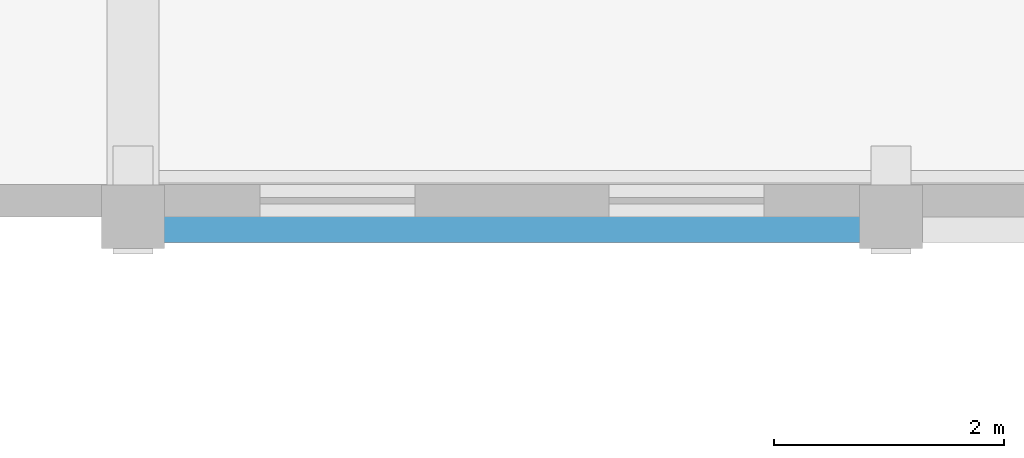
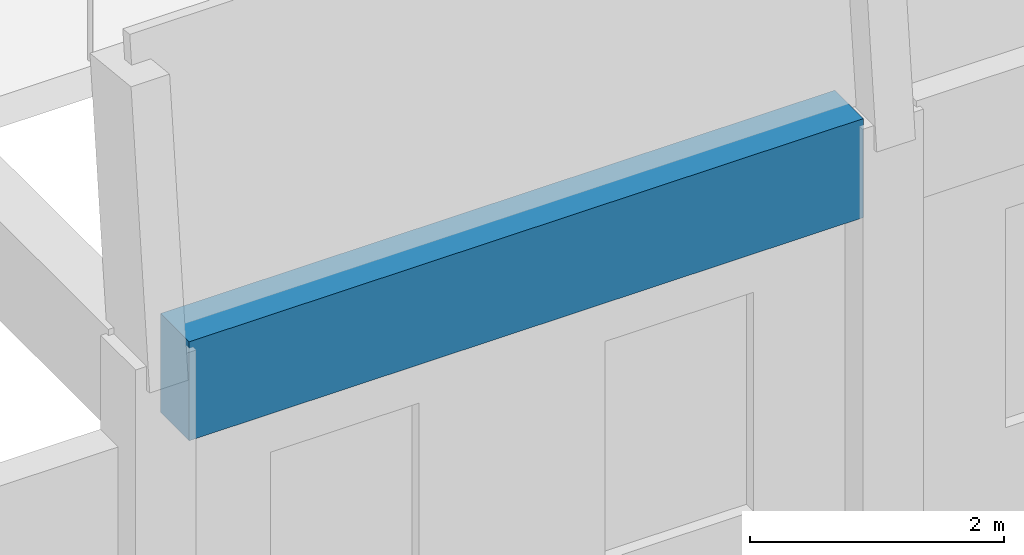
# One storey, part 7 of 50: 1 beam.
"""IFC4 building model written with IfcOpenShell, lengths in metres."""

from ifc_helpers import new_model, si_unit, direction, frame, origin, origin_2d, place, context, subcontext, project, spatial, rectangle, extrude, material, material_profile, profile_set, type_object, element, save


model = new_model("IFC4")

# Units and contexts
model_context = context("Model", 3, precision=1e-05, world=origin(), true_north=direction((0.0, 1.0)))
body_context = subcontext(model_context, "Body", "Model", "MODEL_VIEW")
ifc_project = project(units=[si_unit("LENGTHUNIT", "METRE"), si_unit("AREAUNIT", "SQUARE_METRE"), si_unit("VOLUMEUNIT", "CUBIC_METRE"), si_unit("PLANEANGLEUNIT", "RADIAN"), si_unit("MASSUNIT", "GRAM", prefix="KILO")], contexts=[model_context])

# Site, building, storey
site_placement = place(None, origin())
site = spatial("IfcSite", under=ifc_project, at=site_placement, CompositionType="ELEMENT")
building_placement = place(site_placement, origin())
building = spatial("IfcBuilding", under=site, at=building_placement, Name="Kolvaren Faculty of Natural Sciences", CompositionType="ELEMENT")
storey_placement = place(building_placement, frame((0.0, 0.0, 15.0)))
storey = spatial("IfcBuildingStorey", under=building, at=storey_placement, Name="L03", CompositionType="ELEMENT", Elevation=15.0)

# Beam
ifc_material = material(Name="Concrete C40/50", Category="concrete")
ifc_material_profile = material_profile(ifc_material, rectangle(XDim=0.449951171875, YDim=0.949951171875, at=origin_2d()), Name="RC EB 450x950")
ifc_profile_set = profile_set([ifc_material_profile], Name="Concrete C40/50")
beam_type = type_object("IfcBeamType", Name="ShellEdgeBeam_450x950", PredefinedType="SPANDREL", material=ifc_profile_set)
beam_placement = place(storey_placement, frame((66.43994140625, 72.199951171875, 4.02490234375), z_axis=(1.0, 0.0, 0.0), x_axis=(0.0, 1.0, 0.0)))
element("IfcBeam", 1, at=beam_placement, inside=storey, type_object=beam_type, Name="Central Sky-Lit Atrium Barrel Vault Shell visible RC edge beam EB-SHELL", PredefinedType="SPANDREL", context=body_context, shape_type="SweptSolid", body=[
    extrude(rectangle(XDim=0.449951171875, YDim=0.949951171875, at=origin_2d()), origin(), (0.0, 0.0, 1.0), 6.1201171875),
])

save(model, "model.ifc")
